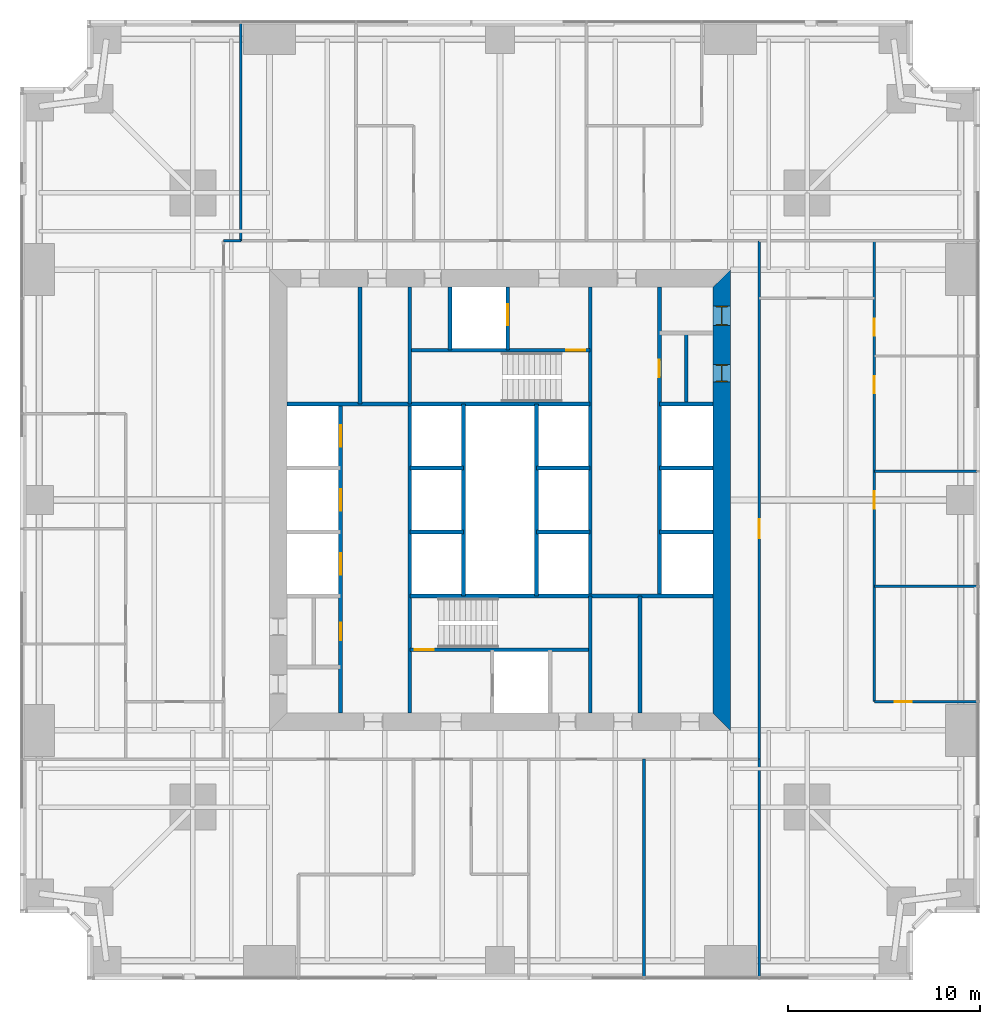
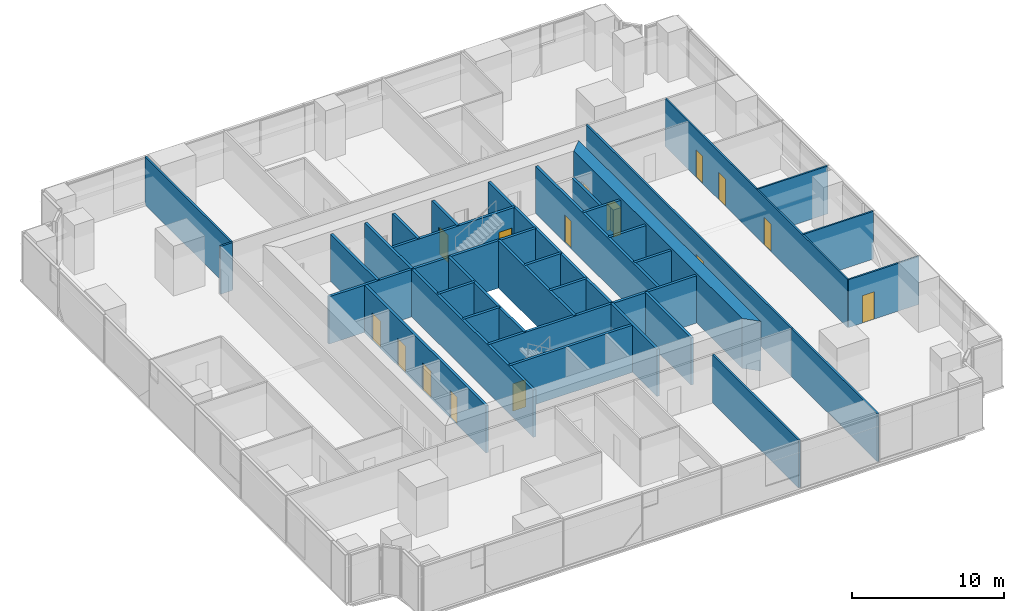
# One storey, part 10 of 13: 34 walls, 15 doors, 15 openings.
"""IFC4 building model written with IfcOpenShell, lengths in metres."""

from ifc_helpers import new_model, si_unit, direction, frame, frame_2d, origin, place, context, subcontext, project, spatial, polyline, rectangle, outline, extrude, material, layer, layer_set, type_object, element, fill, save


model = new_model("IFC4")

# Units and contexts
model_context = context("Model", 3, precision=1e-05, world=origin(), true_north=direction((0.0, 1.0)))
body_context = subcontext(model_context, "Body", "Model", "MODEL_VIEW")
ifc_project = project(units=[si_unit("LENGTHUNIT", "METRE"), si_unit("AREAUNIT", "SQUARE_METRE"), si_unit("VOLUMEUNIT", "CUBIC_METRE"), si_unit("PLANEANGLEUNIT", "RADIAN"), si_unit("MASSUNIT", "GRAM", prefix="KILO")], contexts=[model_context])

# Site, building, storey
site_placement = place(None, origin())
site = spatial("IfcSite", under=ifc_project, at=site_placement, CompositionType="ELEMENT")
building_placement = place(site_placement, origin())
building = spatial("IfcBuilding", under=site, at=building_placement, Name="Fenwick Lantern Interchange", CompositionType="ELEMENT")
storey_placement = place(building_placement, frame((0.0, 0.0, 39.0)))
storey = spatial("IfcBuildingStorey", under=building, at=storey_placement, Name="L08", CompositionType="ELEMENT", Elevation=39.0)

# Wall, openings, doors
ifc_material_1 = material(Name="Concrete masonry ASTM C90 Grade N", Category="masonry")
ifc_layer_1 = layer(ifc_material_1, 0.199951171875)
ifc_layer_set_1 = layer_set([ifc_layer_1], Name="Concrete masonry ASTM C90 Grade N")
wall_type_1 = type_object("IfcWallType", Name="CORE PARTITION 200", PredefinedType="PARTITIONING", material=ifc_layer_set_1)
wall_1_placement = place(storey_placement, frame((16.699951171875, 13.89990234375, 0.0), z_axis=(0.0, 0.0, 1.0), x_axis=(0.0, 1.0, 0.0)))
wall_1 = element("IfcWall", 1, at=wall_1_placement, inside=storey, type_object=wall_type_1, Name="L08/W/CORES/a", PredefinedType="PARTITIONING", context=body_context, shape_type="SweptSolid", body=[
    extrude(rectangle(XDim=16.10009765625, YDim=0.199951171875, at=frame_2d((8.050048828125, 0.0))), origin(), (0.0, 0.0, 1.0), 3.800048828125),
])
opening_1_placement = place(wall_1_placement, frame((3.800048828125, 0.0, 0.0)))
opening_1 = element("IfcOpeningElement", 2, at=opening_1_placement, cuts=wall_1, Name="Opening L08-D008", PredefinedType="OPENING", context=body_context, shape_type="SweptSolid", body=[
    extrude(rectangle(XDim=0.89990234375, YDim=2.199951171875, at=frame_2d((0.449951171875, 1.10009765625))), frame((0.0, 0.10986328125, 0.0), z_axis=(0.0, -1.0, 0.0), x_axis=(1.0, 0.0, 0.0)), (0.0, 0.0, 1.0), 0.219970703125),
])
opening_2_placement = place(wall_1_placement, frame((7.216552734375, 0.0, 0.0)))
opening_2 = element("IfcOpeningElement", 3, at=opening_2_placement, cuts=wall_1, Name="Opening LD-W1-1", PredefinedType="OPENING", context=body_context, shape_type="SweptSolid", body=[
    extrude(rectangle(XDim=1.10009765625, YDim=2.199951171875, at=frame_2d((0.550048828125, 1.10009765625))), frame((0.0, 0.10986328125, 0.0), z_axis=(0.0, -1.0, 0.0), x_axis=(1.0, 0.0, 0.0)), (0.0, 0.0, 1.0), 0.219970703125),
])
opening_3_placement = place(wall_1_placement, frame((10.550048828125, 0.0, 0.0)))
opening_3 = element("IfcOpeningElement", 4, at=opening_3_placement, cuts=wall_1, Name="Opening LD-W1-2", PredefinedType="OPENING", context=body_context, shape_type="SweptSolid", body=[
    extrude(rectangle(XDim=1.10009765625, YDim=2.199951171875, at=frame_2d((0.550048828125, 1.10009765625))), frame((0.0, 0.10986328125, 0.0), z_axis=(0.0, -1.0, 0.0), x_axis=(1.0, 0.0, 0.0)), (0.0, 0.0, 1.0), 0.219970703125),
])
opening_4_placement = place(wall_1_placement, frame((13.88330078125, 0.0, 0.0)))
opening_4 = element("IfcOpeningElement", 5, at=opening_4_placement, cuts=wall_1, Name="Opening LD-W1-3", PredefinedType="OPENING", context=body_context, shape_type="SweptSolid", body=[
    extrude(rectangle(XDim=1.10009765625, YDim=2.199951171875, at=frame_2d((0.550048828125, 1.10009765625))), frame((0.0, 0.10986328125, 0.0), z_axis=(0.0, -1.0, 0.0), x_axis=(1.0, 0.0, 0.0)), (0.0, 0.0, 1.0), 0.219970703125),
])
ifc_material_2 = material(Name="Steel door and frame", Category="steel")
door_type_1 = type_object("IfcDoorType", Name="LIFT LANDING DOOR 1100 X 2200", OperationType="DOUBLE_DOOR_SLIDING", PredefinedType="DOOR", material=ifc_material_2)
door_1_placement = place(opening_2_placement, origin())
door_1 = element("IfcDoor", 6, at=door_1_placement, inside=storey, type_object=door_type_1, Name="Lift landing door W1-1", OperationType="DOUBLE_DOOR_SLIDING", OverallHeight=2.199951171875, OverallWidth=1.10009765625, PredefinedType="DOOR", context=body_context, shape_type="SweptSolid", body=[
    extrude(rectangle(XDim=1.10009765625, YDim=2.199951171875, at=frame_2d((0.550048828125, 1.10009765625))), frame((0.0, 0.02490234375, 0.0), z_axis=(0.0, -1.0, 0.0), x_axis=(1.0, 0.0, 0.0)), (0.0, 0.0, 1.0), 0.050048828125),
])
fill(opening_2, door_1)
door_2_placement = place(opening_3_placement, origin())
door_2 = element("IfcDoor", 7, at=door_2_placement, inside=storey, type_object=door_type_1, Name="Lift landing door W1-2", OperationType="DOUBLE_DOOR_SLIDING", OverallHeight=2.199951171875, OverallWidth=1.10009765625, PredefinedType="DOOR", context=body_context, shape_type="SweptSolid", body=[
    extrude(rectangle(XDim=1.10009765625, YDim=2.199951171875, at=frame_2d((0.550048828125, 1.10009765625))), frame((0.0, 0.02490234375, 0.0), z_axis=(0.0, -1.0, 0.0), x_axis=(1.0, 0.0, 0.0)), (0.0, 0.0, 1.0), 0.050048828125),
])
fill(opening_3, door_2)
door_3_placement = place(opening_4_placement, origin())
door_3 = element("IfcDoor", 8, at=door_3_placement, inside=storey, type_object=door_type_1, Name="Lift landing door W1-3", OperationType="DOUBLE_DOOR_SLIDING", OverallHeight=2.199951171875, OverallWidth=1.10009765625, PredefinedType="DOOR", context=body_context, shape_type="SweptSolid", body=[
    extrude(rectangle(XDim=1.10009765625, YDim=2.199951171875, at=frame_2d((0.550048828125, 1.10009765625))), frame((0.0, 0.02490234375, 0.0), z_axis=(0.0, -1.0, 0.0), x_axis=(1.0, 0.0, 0.0)), (0.0, 0.0, 1.0), 0.050048828125),
])
fill(opening_4, door_3)
door_type_2 = type_object("IfcDoorType", Name="SERVICE DOOR 900 X 2200", OperationType="SINGLE_SWING_LEFT", PredefinedType="DOOR", material=ifc_material_2)
door_4_placement = place(opening_1_placement, origin())
door_4 = element("IfcDoor", 9, at=door_4_placement, inside=storey, type_object=door_type_2, Name="Service door", OperationType="SINGLE_SWING_LEFT", OverallHeight=2.199951171875, OverallWidth=0.89990234375, PredefinedType="DOOR", context=body_context, shape_type="SweptSolid", body=[
    extrude(rectangle(XDim=0.89990234375, YDim=2.199951171875, at=frame_2d((0.449951171875, 1.10009765625))), frame((0.0, 0.02490234375, 0.0), z_axis=(0.0, -1.0, 0.0), x_axis=(1.0, 0.0, 0.0)), (0.0, 0.0, 1.0), 0.050048828125),
])
fill(opening_1, door_4)

# Walls
for number, where, z_axis, x_axis, name in (
    (10, (20.300048828125, 23.333251953125, 0.0), (0.0, 0.0, 1.0), (1.0, 0.0, 0.0), "L08/W/CORES/e1"),
    (11, (20.300048828125, 26.666748046875, 0.0), (0.0, 0.0, 1.0), (1.0, 0.0, 0.0), "L08/W/CORES/e2"),
):
    element("IfcWall", number, at=place(storey_placement, frame(where, z_axis=z_axis, x_axis=x_axis)), inside=storey, type_object=wall_type_1, Name=name, PredefinedType="PARTITIONING", context=body_context, shape_type="SweptSolid", body=[
        extrude(rectangle(XDim=2.800048828125, YDim=0.199951171875, at=frame_2d((1.39990234375, 0.0))), origin(), (0.0, 0.0, 1.0), 3.800048828125),
    ])
wall_2_placement = place(storey_placement, frame((23.10009765625, 20.0, 0.0), z_axis=(0.0, 0.0, 1.0), x_axis=(0.0, 1.0, 0.0)))
element("IfcWall", 12, at=wall_2_placement, inside=storey, type_object=wall_type_1, Name="L08/W/CORES/e3", PredefinedType="PARTITIONING", context=body_context, shape_type="SweptSolid", body=[
    extrude(rectangle(XDim=10.0, YDim=0.199951171875, at=frame_2d((5.0, 0.0))), origin(), (0.0, 0.0, 1.0), 3.800048828125),
])
wall_3_placement = place(storey_placement, frame((32.300048828125, 13.89990234375, 0.0), z_axis=(0.0, 0.0, 1.0), x_axis=(0.0, 1.0, 0.0)))
element("IfcWall", 13, at=wall_3_placement, inside=storey, type_object=wall_type_1, Name="L08/W/CORES/i2", PredefinedType="PARTITIONING", context=body_context, shape_type="SweptSolid", body=[
    extrude(rectangle(XDim=6.10009765625, YDim=0.199951171875, at=frame_2d((3.050048828125, 0.0))), origin(), (0.0, 0.0, 1.0), 3.800048828125),
])

# Wall, opening, door
wall_4_placement = place(storey_placement, frame((33.300048828125, 36.10009765625, 0.0), z_axis=(0.0, 0.0, 1.0), x_axis=(0.0, -1.0, 0.0)))
wall_4 = element("IfcWall", 14, at=wall_4_placement, inside=storey, type_object=wall_type_1, Name="L08/W/COREN/a", PredefinedType="PARTITIONING", context=body_context, shape_type="SweptSolid", body=[
    extrude(rectangle(XDim=16.10009765625, YDim=0.199951171875, at=frame_2d((8.050048828125, 0.0))), origin(), (0.0, 0.0, 1.0), 3.800048828125),
])
opening_5_placement = place(wall_4_placement, frame((3.800048828125, 0.0, 0.0)))
opening_5 = element("IfcOpeningElement", 15, at=opening_5_placement, cuts=wall_4, Name="Opening L08-D017", PredefinedType="OPENING", context=body_context, shape_type="SweptSolid", body=[
    extrude(rectangle(XDim=0.89990234375, YDim=2.199951171875, at=frame_2d((0.449951171875, 1.10009765625))), frame((0.0, 0.10986328125, 0.0), z_axis=(0.0, -1.0, 0.0), x_axis=(1.0, 0.0, 0.0)), (0.0, 0.0, 1.0), 0.219970703125),
])
door_5_placement = place(opening_5_placement, origin())
door_5 = element("IfcDoor", 16, at=door_5_placement, inside=storey, type_object=door_type_2, Name="Service door", OperationType="SINGLE_SWING_LEFT", OverallHeight=2.199951171875, OverallWidth=0.89990234375, PredefinedType="DOOR", context=body_context, shape_type="SweptSolid", body=[
    extrude(rectangle(XDim=0.89990234375, YDim=2.199951171875, at=frame_2d((0.449951171875, 1.10009765625))), frame((0.0, 0.02490234375, 0.0), z_axis=(0.0, -1.0, 0.0), x_axis=(1.0, 0.0, 0.0)), (0.0, 0.0, 1.0), 0.050048828125),
])
fill(opening_5, door_5)

# Walls
for number, where, z_axis, x_axis, name in (
    (17, (36.10009765625, 30.0, 0.0), (0.0, 0.0, 1.0), (-1.0, 0.0, 0.0), "L08/W/COREN/c2"),
    (18, (36.10009765625, 26.666748046875, 0.0), (0.0, 0.0, 1.0), (-1.0, 0.0, 0.0), "L08/W/COREN/d1"),
    (19, (36.10009765625, 23.333251953125, 0.0), (0.0, 0.0, 1.0), (-1.0, 0.0, 0.0), "L08/W/COREN/d2"),
    (20, (29.699951171875, 26.666748046875, 0.0), (0.0, 0.0, 1.0), (-1.0, 0.0, 0.0), "L08/W/COREN/e1"),
    (21, (29.699951171875, 23.333251953125, 0.0), (0.0, 0.0, 1.0), (-1.0, 0.0, 0.0), "L08/W/COREN/e2"),
):
    element("IfcWall", number, at=place(storey_placement, frame(where, z_axis=z_axis, x_axis=x_axis)), inside=storey, type_object=wall_type_1, Name=name, PredefinedType="PARTITIONING", context=body_context, shape_type="SweptSolid", body=[
        extrude(rectangle(XDim=2.800048828125, YDim=0.199951171875, at=frame_2d((1.39990234375, 0.0))), origin(), (0.0, 0.0, 1.0), 3.800048828125),
    ])
wall_5_placement = place(storey_placement, frame((26.89990234375, 30.0, 0.0), z_axis=(0.0, 0.0, 1.0), x_axis=(0.0, -1.0, 0.0)))
element("IfcWall", 22, at=wall_5_placement, inside=storey, type_object=wall_type_1, Name="L08/W/COREN/e3", PredefinedType="PARTITIONING", context=body_context, shape_type="SweptSolid", body=[
    extrude(rectangle(XDim=10.0, YDim=0.199951171875, at=frame_2d((5.0, 0.0))), origin(), (0.0, 0.0, 1.0), 3.800048828125),
])

# Wall, opening, door
wall_6_placement = place(storey_placement, frame((25.39990234375, 36.10009765625, 0.0), z_axis=(0.0, 0.0, 1.0), x_axis=(0.0, -1.0, 0.0)))
wall_6 = element("IfcWall", 23, at=wall_6_placement, inside=storey, type_object=wall_type_1, Name="L08/W/COREN/h1", PredefinedType="PARTITIONING", context=body_context, shape_type="SweptSolid", body=[
    extrude(rectangle(XDim=3.300048828125, YDim=0.199951171875, at=frame_2d((1.64990234375, 0.0))), origin(), (0.0, 0.0, 1.0), 3.800048828125),
])
opening_6_placement = place(wall_6_placement, frame((0.89990234375, 0.0, 0.0)))
opening_6 = element("IfcOpeningElement", 24, at=opening_6_placement, cuts=wall_6, Name="Opening LD-FL2", PredefinedType="OPENING", context=body_context, shape_type="SweptSolid", body=[
    extrude(rectangle(XDim=1.10009765625, YDim=2.199951171875, at=frame_2d((0.550048828125, 1.10009765625))), frame((0.0, 0.10986328125, 0.0), z_axis=(0.0, -1.0, 0.0), x_axis=(1.0, 0.0, 0.0)), (0.0, 0.0, 1.0), 0.219970703125),
])
door_6_placement = place(opening_6_placement, origin())
door_6 = element("IfcDoor", 25, at=door_6_placement, inside=storey, type_object=door_type_1, Name="Lift landing door FL2", OperationType="DOUBLE_DOOR_SLIDING", OverallHeight=2.199951171875, OverallWidth=1.10009765625, PredefinedType="DOOR", context=body_context, shape_type="SweptSolid", body=[
    extrude(rectangle(XDim=1.10009765625, YDim=2.199951171875, at=frame_2d((0.550048828125, 1.10009765625))), frame((0.0, 0.02490234375, 0.0), z_axis=(0.0, -1.0, 0.0), x_axis=(1.0, 0.0, 0.0)), (0.0, 0.0, 1.0), 0.050048828125),
])
fill(opening_6, door_6)

# Walls
wall_7_placement = place(storey_placement, frame((22.39990234375, 36.10009765625, 0.0), z_axis=(0.0, 0.0, 1.0), x_axis=(0.0, -1.0, 0.0)))
element("IfcWall", 26, at=wall_7_placement, inside=storey, type_object=wall_type_1, Name="L08/W/COREN/h2", PredefinedType="PARTITIONING", context=body_context, shape_type="SweptSolid", body=[
    extrude(rectangle(XDim=3.300048828125, YDim=0.199951171875, at=frame_2d((1.64990234375, 0.0))), origin(), (0.0, 0.0, 1.0), 3.800048828125),
])
wall_8_placement = place(storey_placement, frame((17.699951171875, 36.10009765625, 0.0), z_axis=(0.0, 0.0, 1.0), x_axis=(0.0, -1.0, 0.0)))
element("IfcWall", 27, at=wall_8_placement, inside=storey, type_object=wall_type_1, Name="L08/W/COREN/i2", PredefinedType="PARTITIONING", context=body_context, shape_type="SweptSolid", body=[
    extrude(rectangle(XDim=6.10009765625, YDim=0.199951171875, at=frame_2d((3.050048828125, 0.0))), origin(), (0.0, 0.0, 1.0), 3.800048828125),
])
wall_9_placement = place(storey_placement, frame((34.699951171875, 33.699951171875, 0.0), z_axis=(0.0, 0.0, 1.0), x_axis=(0.0, -1.0, 0.0)))
element("IfcWall", 28, at=wall_9_placement, inside=storey, type_object=wall_type_1, Name="L08/W/COREN/px", PredefinedType="PARTITIONING", context=body_context, shape_type="SweptSolid", body=[
    extrude(rectangle(XDim=3.699951171875, YDim=0.199951171875, at=frame_2d((1.85009765625, 0.0))), origin(), (0.0, 0.0, 1.0), 3.800048828125),
])

# Wall, openings, doors
ifc_material_3 = material(Name="Concrete f'c 70 MPa", Category="concrete")
ifc_layer_2 = layer(ifc_material_3, 0.89990234375)
ifc_layer_set_2 = layer_set([ifc_layer_2], Name="CORE WALL 900")
wall_type_2 = type_object("IfcWallType", Name="CORE WALL 900", PredefinedType="SHEAR", material=ifc_layer_set_2)
wall_10_placement = place(storey_placement, frame((36.550048828125, 13.89990234375, 0.0), z_axis=(0.0, 0.0, 1.0), x_axis=(0.0, 1.0, 0.0)))
wall_10 = element("IfcWall", 29, at=wall_10_placement, inside=storey, type_object=wall_type_2, Name="L08/CORE/E", PredefinedType="SHEAR", context=body_context, shape_type="SweptSolid", body=[
    extrude(outline(polyline([(-0.89990234375, -0.449951171875), (23.10009765625, -0.449951171875), (22.199951171875, 0.449951171875), (0.0, 0.449951171875), (-0.89990234375, -0.449951171875)])), origin(), (0.0, 0.0, 1.0), 4.0),
])
opening_7_placement = place(wall_10_placement, frame((20.199951171875, 0.0, 0.0)))
opening_7 = element("IfcOpeningElement", 30, at=opening_7_placement, cuts=wall_10, Name="Opening L08-D016", PredefinedType="OPENING", context=body_context, shape_type="SweptSolid", body=[
    extrude(rectangle(XDim=1.0, YDim=2.199951171875, at=frame_2d((0.5, 1.10009765625))), frame((0.0, 0.4599609375, 0.0), z_axis=(0.0, -1.0, 0.0), x_axis=(1.0, 0.0, 0.0)), (0.0, 0.0, 1.0), 0.919921875),
])
opening_8_placement = place(wall_10_placement, frame((17.25, 0.0, 0.0)))
opening_8 = element("IfcOpeningElement", 31, at=opening_8_placement, cuts=wall_10, Name="Opening L08-D018", PredefinedType="OPENING", context=body_context, shape_type="SweptSolid", body=[
    extrude(rectangle(XDim=0.89990234375, YDim=2.199951171875, at=frame_2d((0.449951171875, 1.10009765625))), frame((0.0, 0.4599609375, 0.0), z_axis=(0.0, -1.0, 0.0), x_axis=(1.0, 0.0, 0.0)), (0.0, 0.0, 1.0), 0.919921875),
])
door_type_3 = type_object("IfcDoorType", Name="SERVICE DOOR 1000 X 2200", OperationType="SINGLE_SWING_LEFT", PredefinedType="DOOR", material=ifc_material_2)
door_7_placement = place(opening_7_placement, origin())
door_7 = element("IfcDoor", 32, at=door_7_placement, inside=storey, type_object=door_type_3, Name="Service door", OperationType="SINGLE_SWING_LEFT", OverallHeight=2.199951171875, OverallWidth=1.0, PredefinedType="DOOR", context=body_context, shape_type="SweptSolid", body=[
    extrude(rectangle(XDim=1.0, YDim=2.199951171875, at=frame_2d((0.5, 1.10009765625))), frame((0.0, 0.02490234375, 0.0), z_axis=(0.0, -1.0, 0.0), x_axis=(1.0, 0.0, 0.0)), (0.0, 0.0, 1.0), 0.050048828125),
    extrude(outline(polyline([(0.0, 0.0), (0.0400390625, 0.0), (0.0400390625, 2.159912109375), (0.9599609375, 2.159912109375), (0.9599609375, 0.0), (1.0, 0.0), (1.0, 2.199951171875), (0.0, 2.199951171875), (0.0, 0.0)])), frame((0.0, 0.300048828125, 0.0), z_axis=(0.0, -1.0, 0.0), x_axis=(1.0, 0.0, 0.0)), (0.0, 0.0, 1.0), 0.60009765625),
])
fill(opening_7, door_7)
door_8_placement = place(opening_8_placement, origin())
door_8 = element("IfcDoor", 33, at=door_8_placement, inside=storey, type_object=door_type_2, Name="Service door", OperationType="SINGLE_SWING_LEFT", OverallHeight=2.199951171875, OverallWidth=0.89990234375, PredefinedType="DOOR", context=body_context, shape_type="SweptSolid", body=[
    extrude(rectangle(XDim=0.89990234375, YDim=2.199951171875, at=frame_2d((0.449951171875, 1.10009765625))), frame((0.0, 0.02490234375, 0.0), z_axis=(0.0, -1.0, 0.0), x_axis=(1.0, 0.0, 0.0)), (0.0, 0.0, 1.0), 0.050048828125),
    extrude(outline(polyline([(0.0, 0.0), (0.0400390625, 0.0), (0.0400390625, 2.159912109375), (0.85986328125, 2.159912109375), (0.85986328125, 0.0), (0.89990234375, 0.0), (0.89990234375, 2.199951171875), (0.0, 2.199951171875), (0.0, 0.0)])), frame((0.0, 0.300048828125, 0.0), z_axis=(0.0, -1.0, 0.0), x_axis=(1.0, 0.0, 0.0)), (0.0, 0.0, 1.0), 0.60009765625),
])
fill(opening_8, door_8)

# Wall, opening, door
ifc_material_4 = material(Name="Gypsum board on steel studs, 1 hour", Category="steel")
ifc_layer_3 = layer(ifc_material_4, 0.14990234375)
ifc_layer_set_3 = layer_set([ifc_layer_3], Name="CORRIDOR WALL 150")
wall_type_3 = type_object("IfcWallType", Name="CORRIDOR WALL 150", PredefinedType="PARTITIONING", material=ifc_layer_set_3)
wall_11_placement = place(storey_placement, frame((38.5, 11.5, 0.0), z_axis=(0.0, 0.0, 1.0), x_axis=(0.0, 1.0, 0.0)))
wall_11 = element("IfcWall", 34, at=wall_11_placement, inside=storey, type_object=wall_type_3, Name="L08/W/OFF/E/CW", PredefinedType="PARTITIONING", context=body_context, shape_type="SweptSolid", body=[
    extrude(rectangle(XDim=27.0, YDim=0.14990234375, at=frame_2d((13.5, 0.0))), origin(), (0.0, 0.0, 1.0), 3.85009765625),
])
opening_9_placement = place(wall_11_placement, frame((11.5, 0.0, 0.0)))
opening_9 = element("IfcOpeningElement", 35, at=opening_9_placement, cuts=wall_11, Name="Opening L08-D024", PredefinedType="OPENING", context=body_context, shape_type="SweptSolid", body=[
    extrude(rectangle(XDim=1.0, YDim=2.199951171875, at=frame_2d((0.5, 1.10009765625))), frame((0.0, 0.0849609375, 0.0), z_axis=(0.0, -1.0, 0.0), x_axis=(1.0, 0.0, 0.0)), (0.0, 0.0, 1.0), 0.169921875),
])
door_type_4 = type_object("IfcDoorType", Name="SUITE ENTRANCE DOOR 1000 X 2200", OperationType="SINGLE_SWING_LEFT", PredefinedType="DOOR", material=ifc_material_2)
door_9_placement = place(opening_9_placement, frame((1.0, 0.0, 0.0), z_axis=(0.0, 0.0, 1.0), x_axis=(-1.0, 0.0, 0.0)))
door_9 = element("IfcDoor", 36, at=door_9_placement, inside=storey, type_object=door_type_4, Name="Suite entrance door", OperationType="SINGLE_SWING_LEFT", OverallHeight=2.199951171875, OverallWidth=1.0, PredefinedType="DOOR", context=body_context, shape_type="SweptSolid", body=[
    extrude(rectangle(XDim=1.0, YDim=2.199951171875, at=frame_2d((0.5, 1.10009765625))), frame((0.0, 0.02490234375, 0.0), z_axis=(0.0, -1.0, 0.0), x_axis=(1.0, 0.0, 0.0)), (0.0, 0.0, 1.0), 0.050048828125),
])
fill(opening_9, door_9)

# Wall
wall_12_placement = place(storey_placement, frame((11.5, 38.5, 0.0), z_axis=(0.0, 0.0, 1.0), x_axis=(-1.0, 0.0, 0.0)))
element("IfcWall", 37, at=wall_12_placement, inside=storey, type_object=wall_type_3, Name="L08/W/OFF/W/CWJ", PredefinedType="PARTITIONING", context=body_context, shape_type="SweptSolid", body=[
    extrude(rectangle(XDim=0.89990234375, YDim=0.14990234375, at=frame_2d((0.449951171875, 0.0))), origin(), (0.0, 0.0, 1.0), 3.85009765625),
])

# Wall, opening, door
ifc_material_5 = material(Name="Gypsum board on steel studs, acoustic", Category="steel")
ifc_layer_4 = layer(ifc_material_5, 0.125)
ifc_layer_set_4 = layer_set([ifc_layer_4], Name="OFFICE PARTITION 125")
wall_type_4 = type_object("IfcWallType", Name="OFFICE PARTITION 125", PredefinedType="PARTITIONING", material=ifc_layer_set_4)
wall_13_placement = place(storey_placement, frame((49.85009765625, 14.5, 0.0), z_axis=(0.0, 0.0, 1.0), x_axis=(-1.0, 0.0, 0.0)))
wall_13 = element("IfcWall", 38, at=wall_13_placement, inside=storey, type_object=wall_type_4, Name="L08/W/OFF/E/X145-1", PredefinedType="PARTITIONING", context=body_context, shape_type="SweptSolid", body=[
    extrude(rectangle(XDim=5.35009765625, YDim=0.125, at=frame_2d((2.675048828125, 0.0))), origin(), (0.0, 0.0, 1.0), 3.85009765625),
])
opening_10_placement = place(wall_13_placement, frame((3.39990234375, 0.0, 0.0)))
opening_10 = element("IfcOpeningElement", 39, at=opening_10_placement, cuts=wall_13, Name="Opening L08-D025", PredefinedType="OPENING", context=body_context, shape_type="SweptSolid", body=[
    extrude(rectangle(XDim=0.89990234375, YDim=2.199951171875, at=frame_2d((0.449951171875, 1.10009765625))), frame((0.0, 0.072509765625, 0.0), z_axis=(0.0, -1.0, 0.0), x_axis=(1.0, 0.0, 0.0)), (0.0, 0.0, 1.0), 0.14501953125),
])
ifc_material_6 = material(Name="Hardwood door and steel frame", Category="steel")
door_type_5 = type_object("IfcDoorType", Name="OFFICE DOOR 900 X 2200", OperationType="SINGLE_SWING_LEFT", PredefinedType="DOOR", material=ifc_material_6)
door_10_placement = place(opening_10_placement, frame((0.89990234375, 0.0, 0.0), z_axis=(0.0, 0.0, 1.0), x_axis=(-1.0, 0.0, 0.0)))
door_10 = element("IfcDoor", 40, at=door_10_placement, inside=storey, type_object=door_type_5, Name="Office door", OperationType="SINGLE_SWING_LEFT", OverallHeight=2.199951171875, OverallWidth=0.89990234375, PredefinedType="DOOR", context=body_context, shape_type="SweptSolid", body=[
    extrude(rectangle(XDim=0.89990234375, YDim=2.199951171875, at=frame_2d((0.449951171875, 1.10009765625))), frame((0.0, 0.02490234375, 0.0), z_axis=(0.0, -1.0, 0.0), x_axis=(1.0, 0.0, 0.0)), (0.0, 0.0, 1.0), 0.050048828125),
])
fill(opening_10, door_10)

# Walls
for number, where, z_axis, x_axis, name in (
    (41, (49.85009765625, 20.5, 0.0), (0.0, 0.0, 1.0), (-1.0, 0.0, 0.0), "L08/W/OFF/E/X205-1"),
    (42, (49.85009765625, 26.5, 0.0), (0.0, 0.0, 1.0), (-1.0, 0.0, 0.0), "L08/W/OFF/E/X265-1"),
):
    element("IfcWall", number, at=place(storey_placement, frame(where, z_axis=z_axis, x_axis=x_axis)), inside=storey, type_object=wall_type_4, Name=name, PredefinedType="PARTITIONING", context=body_context, shape_type="SweptSolid", body=[
        extrude(rectangle(XDim=5.35009765625, YDim=0.125, at=frame_2d((2.675048828125, 0.0))), origin(), (0.0, 0.0, 1.0), 3.85009765625),
    ])

# Wall, openings, doors
wall_14_placement = place(storey_placement, frame((44.5, 14.5, 0.0), z_axis=(0.0, 0.0, 1.0), x_axis=(0.0, 1.0, 0.0)))
wall_14 = element("IfcWall", 43, at=wall_14_placement, inside=storey, type_object=wall_type_4, Name="L08/W/OFF/E/Y55-1", PredefinedType="PARTITIONING", context=body_context, shape_type="SweptSolid", body=[
    extrude(rectangle(XDim=24.0, YDim=0.125, at=frame_2d((12.0, 0.0))), origin(), (0.0, 0.0, 1.0), 3.85009765625),
])
opening_11_placement = place(wall_14_placement, frame((10.050048828125, 0.0, 0.0)))
opening_11 = element("IfcOpeningElement", 44, at=opening_11_placement, cuts=wall_14, Name="Opening L08-D026", PredefinedType="OPENING", context=body_context, shape_type="SweptSolid", body=[
    extrude(rectangle(XDim=0.89990234375, YDim=2.199951171875, at=frame_2d((0.449951171875, 1.10009765625))), frame((0.0, 0.072509765625, 0.0), z_axis=(0.0, -1.0, 0.0), x_axis=(1.0, 0.0, 0.0)), (0.0, 0.0, 1.0), 0.14501953125),
])
opening_12_placement = place(wall_14_placement, frame((16.050048828125, 0.0, 0.0)))
opening_12 = element("IfcOpeningElement", 45, at=opening_12_placement, cuts=wall_14, Name="Opening L08-D027", PredefinedType="OPENING", context=body_context, shape_type="SweptSolid", body=[
    extrude(rectangle(XDim=0.89990234375, YDim=2.199951171875, at=frame_2d((0.449951171875, 1.10009765625))), frame((0.0, 0.072509765625, 0.0), z_axis=(0.0, -1.0, 0.0), x_axis=(1.0, 0.0, 0.0)), (0.0, 0.0, 1.0), 0.14501953125),
])
opening_13_placement = place(wall_14_placement, frame((19.050048828125, 0.0, 0.0)))
opening_13 = element("IfcOpeningElement", 46, at=opening_13_placement, cuts=wall_14, Name="Opening L08-D028", PredefinedType="OPENING", context=body_context, shape_type="SweptSolid", body=[
    extrude(rectangle(XDim=0.89990234375, YDim=2.199951171875, at=frame_2d((0.449951171875, 1.10009765625))), frame((0.0, 0.072509765625, 0.0), z_axis=(0.0, -1.0, 0.0), x_axis=(1.0, 0.0, 0.0)), (0.0, 0.0, 1.0), 0.14501953125),
])
door_11_placement = place(opening_11_placement, frame((0.89990234375, 0.0, 0.0), z_axis=(0.0, 0.0, 1.0), x_axis=(-1.0, 0.0, 0.0)))
door_11 = element("IfcDoor", 47, at=door_11_placement, inside=storey, type_object=door_type_5, Name="Office door", OperationType="SINGLE_SWING_LEFT", OverallHeight=2.199951171875, OverallWidth=0.89990234375, PredefinedType="DOOR", context=body_context, shape_type="SweptSolid", body=[
    extrude(rectangle(XDim=0.89990234375, YDim=2.199951171875, at=frame_2d((0.449951171875, 1.10009765625))), frame((0.0, 0.02490234375, 0.0), z_axis=(0.0, -1.0, 0.0), x_axis=(1.0, 0.0, 0.0)), (0.0, 0.0, 1.0), 0.050048828125),
])
fill(opening_11, door_11)
door_12_placement = place(opening_12_placement, frame((0.89990234375, 0.0, 0.0), z_axis=(0.0, 0.0, 1.0), x_axis=(-1.0, 0.0, 0.0)))
door_12 = element("IfcDoor", 48, at=door_12_placement, inside=storey, type_object=door_type_5, Name="Office door", OperationType="SINGLE_SWING_LEFT", OverallHeight=2.199951171875, OverallWidth=0.89990234375, PredefinedType="DOOR", context=body_context, shape_type="SweptSolid", body=[
    extrude(rectangle(XDim=0.89990234375, YDim=2.199951171875, at=frame_2d((0.449951171875, 1.10009765625))), frame((0.0, 0.02490234375, 0.0), z_axis=(0.0, -1.0, 0.0), x_axis=(1.0, 0.0, 0.0)), (0.0, 0.0, 1.0), 0.050048828125),
])
fill(opening_12, door_12)
door_13_placement = place(opening_13_placement, frame((0.89990234375, 0.0, 0.0), z_axis=(0.0, 0.0, 1.0), x_axis=(-1.0, 0.0, 0.0)))
door_13 = element("IfcDoor", 49, at=door_13_placement, inside=storey, type_object=door_type_5, Name="Office door", OperationType="SINGLE_SWING_RIGHT", OverallHeight=2.199951171875, OverallWidth=0.89990234375, PredefinedType="DOOR", context=body_context, shape_type="SweptSolid", body=[
    extrude(rectangle(XDim=0.89990234375, YDim=2.199951171875, at=frame_2d((0.449951171875, 1.10009765625))), frame((0.0, 0.02490234375, 0.0), z_axis=(0.0, -1.0, 0.0), x_axis=(1.0, 0.0, 0.0)), (0.0, 0.0, 1.0), 0.050048828125),
])
fill(opening_13, door_13)

# Wall
ifc_material_7 = material(Name="Concrete f'c 45 MPa", Category="concrete")
ifc_layer_5 = layer(ifc_material_7, 0.199951171875)
ifc_layer_set_5 = layer_set([ifc_layer_5], Name="STAIR CORE WALL 200")
wall_type_5 = type_object("IfcWallType", Name="STAIR CORE WALL 200", PredefinedType="SOLIDWALL", material=ifc_layer_set_5)
wall_15_placement = place(storey_placement, frame((20.300048828125, 13.89990234375, 0.0), z_axis=(0.0, 0.0, 1.0), x_axis=(0.0, 1.0, 0.0)))
element("IfcWall", 50, at=wall_15_placement, inside=storey, type_object=wall_type_5, Name="L08/W/CORES/b", PredefinedType="SOLIDWALL", context=body_context, shape_type="SweptSolid", body=[
    extrude(rectangle(XDim=16.10009765625, YDim=0.199951171875, at=frame_2d((8.050048828125, 0.0))), origin(), (0.0, 0.0, 1.0), 3.800048828125),
])

# Wall, opening, door
wall_16_placement = place(storey_placement, frame((20.300048828125, 17.199951171875, 0.0), z_axis=(0.0, 0.0, 1.0), x_axis=(1.0, 0.0, 0.0)))
wall_16 = element("IfcWall", 51, at=wall_16_placement, inside=storey, type_object=wall_type_5, Name="L08/W/CORES/g1", PredefinedType="SOLIDWALL", context=body_context, shape_type="SweptSolid", body=[
    extrude(rectangle(XDim=9.39990234375, YDim=0.199951171875, at=frame_2d((4.699951171875, 0.0))), origin(), (0.0, 0.0, 1.0), 3.800048828125),
])
opening_14_placement = place(wall_16_placement, frame((0.25, 0.0, 0.0)))
opening_14 = element("IfcOpeningElement", 52, at=opening_14_placement, cuts=wall_16, Name="Opening L08-D003", PredefinedType="OPENING", context=body_context, shape_type="SweptSolid", body=[
    extrude(rectangle(XDim=1.0, YDim=2.199951171875, at=frame_2d((0.5, 1.10009765625))), frame((0.0, 0.10986328125, 0.0), z_axis=(0.0, -1.0, 0.0), x_axis=(1.0, 0.0, 0.0)), (0.0, 0.0, 1.0), 0.219970703125),
])
door_type_6 = type_object("IfcDoorType", Name="STAIR DOOR 1000 X 2200", OperationType="SINGLE_SWING_LEFT", PredefinedType="DOOR", material=ifc_material_2)
door_14_placement = place(opening_14_placement, origin())
door_14 = element("IfcDoor", 53, at=door_14_placement, inside=storey, type_object=door_type_6, Name="Stair door", OperationType="SINGLE_SWING_LEFT", OverallHeight=2.199951171875, OverallWidth=1.0, PredefinedType="DOOR", context=body_context, shape_type="SweptSolid", body=[
    extrude(rectangle(XDim=1.0, YDim=2.199951171875, at=frame_2d((0.5, 1.10009765625))), frame((0.0, 0.02490234375, 0.0), z_axis=(0.0, -1.0, 0.0), x_axis=(1.0, 0.0, 0.0)), (0.0, 0.0, 1.0), 0.050048828125),
])
fill(opening_14, door_14)

# Walls
wall_17_placement = place(storey_placement, frame((20.300048828125, 20.0, 0.0), z_axis=(0.0, 0.0, 1.0), x_axis=(1.0, 0.0, 0.0)))
element("IfcWall", 54, at=wall_17_placement, inside=storey, type_object=wall_type_5, Name="L08/W/CORES/g2", PredefinedType="SOLIDWALL", context=body_context, shape_type="SweptSolid", body=[
    extrude(rectangle(XDim=15.800048828125, YDim=0.199951171875, at=frame_2d((7.89990234375, 0.0))), origin(), (0.0, 0.0, 1.0), 3.800048828125),
])
wall_18_placement = place(storey_placement, frame((29.699951171875, 13.89990234375, 0.0), z_axis=(0.0, 0.0, 1.0), x_axis=(0.0, 1.0, 0.0)))
element("IfcWall", 55, at=wall_18_placement, inside=storey, type_object=wall_type_5, Name="L08/W/CORES/i1", PredefinedType="SOLIDWALL", context=body_context, shape_type="SweptSolid", body=[
    extrude(rectangle(XDim=6.10009765625, YDim=0.199951171875, at=frame_2d((3.050048828125, 0.0))), origin(), (0.0, 0.0, 1.0), 3.800048828125),
])
wall_19_placement = place(storey_placement, frame((29.699951171875, 36.10009765625, 0.0), z_axis=(0.0, 0.0, 1.0), x_axis=(0.0, -1.0, 0.0)))
element("IfcWall", 56, at=wall_19_placement, inside=storey, type_object=wall_type_5, Name="L08/W/COREN/b", PredefinedType="SOLIDWALL", context=body_context, shape_type="SweptSolid", body=[
    extrude(rectangle(XDim=16.10009765625, YDim=0.199951171875, at=frame_2d((8.050048828125, 0.0))), origin(), (0.0, 0.0, 1.0), 3.800048828125),
])

# Wall, opening, door
wall_20_placement = place(storey_placement, frame((29.699951171875, 32.800048828125, 0.0), z_axis=(0.0, 0.0, 1.0), x_axis=(-1.0, 0.0, 0.0)))
wall_20 = element("IfcWall", 57, at=wall_20_placement, inside=storey, type_object=wall_type_5, Name="L08/W/COREN/g1", PredefinedType="SOLIDWALL", context=body_context, shape_type="SweptSolid", body=[
    extrude(rectangle(XDim=9.39990234375, YDim=0.199951171875, at=frame_2d((4.699951171875, 0.0))), origin(), (0.0, 0.0, 1.0), 3.800048828125),
])
opening_15_placement = place(wall_20_placement, frame((0.25, 0.0, 0.0)))
opening_15 = element("IfcOpeningElement", 58, at=opening_15_placement, cuts=wall_20, Name="Opening L08-D012", PredefinedType="OPENING", context=body_context, shape_type="SweptSolid", body=[
    extrude(rectangle(XDim=1.0, YDim=2.199951171875, at=frame_2d((0.5, 1.10009765625))), frame((0.0, 0.10986328125, 0.0), z_axis=(0.0, -1.0, 0.0), x_axis=(1.0, 0.0, 0.0)), (0.0, 0.0, 1.0), 0.219970703125),
])
door_15_placement = place(opening_15_placement, origin())
door_15 = element("IfcDoor", 59, at=door_15_placement, inside=storey, type_object=door_type_6, Name="Stair door", OperationType="SINGLE_SWING_LEFT", OverallHeight=2.199951171875, OverallWidth=1.0, PredefinedType="DOOR", context=body_context, shape_type="SweptSolid", body=[
    extrude(rectangle(XDim=1.0, YDim=2.199951171875, at=frame_2d((0.5, 1.10009765625))), frame((0.0, 0.02490234375, 0.0), z_axis=(0.0, -1.0, 0.0), x_axis=(1.0, 0.0, 0.0)), (0.0, 0.0, 1.0), 0.050048828125),
])
fill(opening_15, door_15)

# Walls
wall_21_placement = place(storey_placement, frame((29.699951171875, 30.0, 0.0), z_axis=(0.0, 0.0, 1.0), x_axis=(-1.0, 0.0, 0.0)))
element("IfcWall", 60, at=wall_21_placement, inside=storey, type_object=wall_type_5, Name="L08/W/COREN/g2", PredefinedType="SOLIDWALL", context=body_context, shape_type="SweptSolid", body=[
    extrude(rectangle(XDim=15.800048828125, YDim=0.199951171875, at=frame_2d((7.89990234375, 0.0))), origin(), (0.0, 0.0, 1.0), 3.800048828125),
])
wall_22_placement = place(storey_placement, frame((20.300048828125, 36.10009765625, 0.0), z_axis=(0.0, 0.0, 1.0), x_axis=(0.0, -1.0, 0.0)))
element("IfcWall", 61, at=wall_22_placement, inside=storey, type_object=wall_type_5, Name="L08/W/COREN/i1", PredefinedType="SOLIDWALL", context=body_context, shape_type="SweptSolid", body=[
    extrude(rectangle(XDim=6.10009765625, YDim=0.199951171875, at=frame_2d((3.050048828125, 0.0))), origin(), (0.0, 0.0, 1.0), 3.800048828125),
])
ifc_material_8 = material(Name="Gypsum board on steel studs, 1 hour acoustic", Category="steel")
ifc_layer_6 = layer(ifc_material_8, 0.14990234375)
ifc_layer_set_6 = layer_set([ifc_layer_6], Name="TENANT WALL 150")
wall_type_6 = type_object("IfcWallType", Name="TENANT WALL 150", PredefinedType="PARTITIONING", material=ifc_layer_set_6)
for number, where, z_axis, x_axis, name in (
    (62, (32.5, 0.14990234375, 0.0), (0.0, 0.0, 1.0), (0.0, 1.0, 0.0), "L08/W/OFF/S/X325-1"),
    (63, (38.5, 0.14990234375, 0.0), (0.0, 0.0, 1.0), (0.0, 1.0, 0.0), "L08/W/OFF/E/BACK"),
    (64, (11.5, 49.85009765625, 0.0), (0.0, 0.0, 1.0), (0.0, -1.0, 0.0), "L08/W/OFF/W/BACK"),
):
    element("IfcWall", number, at=place(storey_placement, frame(where, z_axis=z_axis, x_axis=x_axis)), inside=storey, type_object=wall_type_6, Name=name, PredefinedType="PARTITIONING", context=body_context, shape_type="SweptSolid", body=[
        extrude(rectangle(XDim=11.35009765625, YDim=0.14990234375, at=frame_2d((5.675048828125, 0.0))), origin(), (0.0, 0.0, 1.0), 3.85009765625),
    ])

save(model, "model.ifc")
